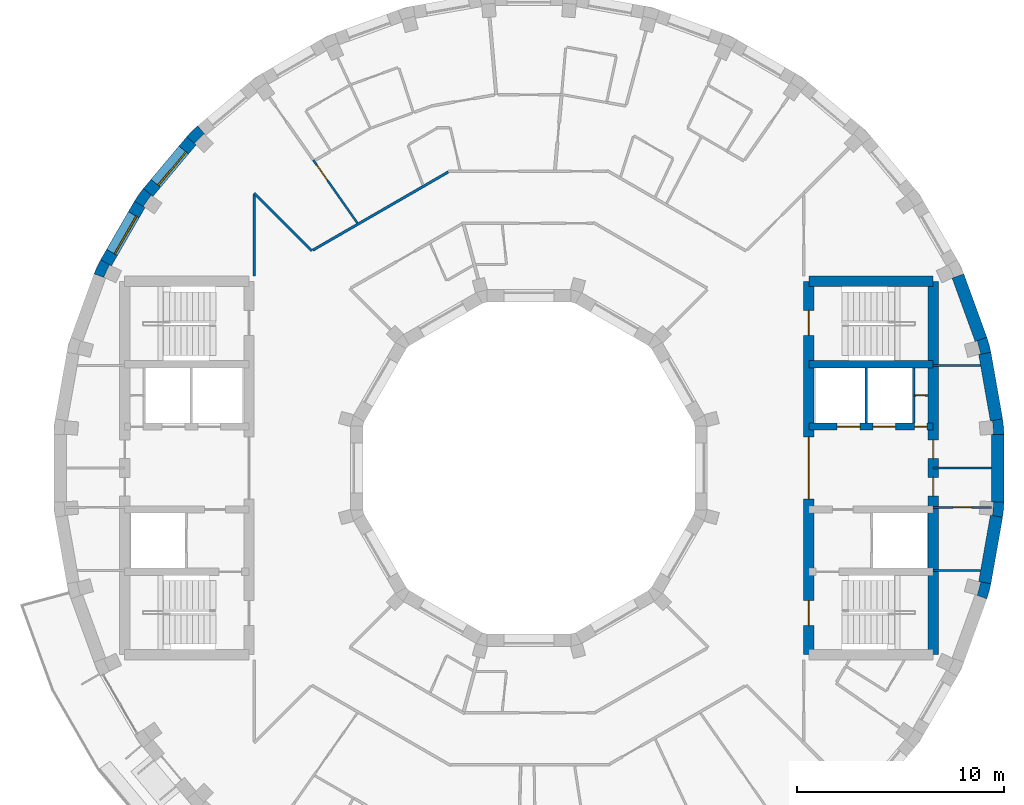
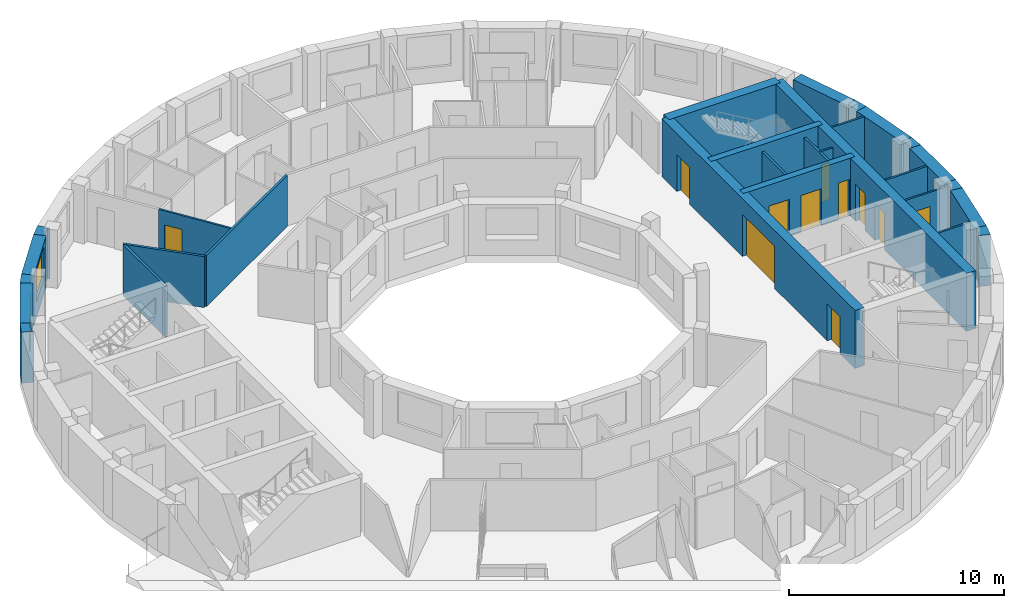
# One storey, part 8 of 12: 29 walls, 11 doors, 2 windows, 13 openings.
"""IFC4 building model written with IfcOpenShell, lengths in metres."""

from ifc_helpers import new_model, si_unit, direction, frame, frame_2d, origin, place, context, subcontext, project, spatial, polyline, rectangle, outline, extrude, material, layer, layer_set, type_object, element, fill, save


model = new_model("IFC4")

# Units and contexts
model_context = context("Model", 3, precision=1e-05, world=origin(), true_north=direction((0.0, 1.0)))
body_context = subcontext(model_context, "Body", "Model", "MODEL_VIEW")
ifc_project = project(units=[si_unit("LENGTHUNIT", "METRE"), si_unit("AREAUNIT", "SQUARE_METRE"), si_unit("VOLUMEUNIT", "CUBIC_METRE"), si_unit("PLANEANGLEUNIT", "RADIAN"), si_unit("MASSUNIT", "GRAM", prefix="KILO")], contexts=[model_context])

# Site, building, storey
site_placement = place(None, origin())
site = spatial("IfcSite", under=ifc_project, at=site_placement, CompositionType="ELEMENT")
building_placement = place(site_placement, origin())
building = spatial("IfcBuilding", under=site, at=building_placement, Name="Saqina Gate Tower", CompositionType="ELEMENT")
storey_placement = place(building_placement, frame((0.0, 0.0, 262.699951171875)))
storey = spatial("IfcBuildingStorey", under=building, at=storey_placement, Name="L75", CompositionType="ELEMENT", Elevation=262.699951171875)

# Walls
ifc_material_1 = material(Name="Brick masonry (buff)", Category="masonry")
wall_type_1 = type_object("IfcWallType", Name="BRICK PIER COPING BUFF", PredefinedType="SOLIDWALL", material=ifc_material_1)
wall_1_placement = place(storey_placement, origin())
element("IfcWall", 1, at=wall_1_placement, inside=storey, type_object=wall_type_1, Name="Pier cap L75 column 1", PredefinedType="SOLIDWALL", context=body_context, shape_type="SweptSolid", body=[
    extrude(outline(polyline([(22.91259765625, 1.625732421875), (22.8466796875, 2.377685546875), (22.255859375, 2.2734375), (22.361083984375, 2.28271484375), (22.417724609375, 1.635009765625), (22.3125, 1.625732421875), (22.91259765625, 1.625732421875)])), origin(), (0.0, 0.0, 1.0), 2.900146484375),
])
wall_2_placement = place(storey_placement, origin())
element("IfcWall", 2, at=wall_2_placement, inside=storey, type_object=wall_type_1, Name="Pier cap L75 column 2", PredefinedType="SOLIDWALL", context=body_context, shape_type="SweptSolid", body=[
    extrude(outline(polyline([(22.0869140625, 6.30859375), (21.52294921875, 6.103515625), (21.625, 6.130859375), (21.793212890625, 5.5029296875), (21.691162109375, 5.4755859375), (22.281982421875, 5.579833984375), (22.0869140625, 6.30859375)])), origin(), (0.0, 0.0, 1.0), 2.900146484375),
])
wall_3_placement = place(storey_placement, origin())
element("IfcWall", 3, at=wall_3_placement, inside=storey, type_object=wall_type_1, Name="Pier cap L75 column 14", PredefinedType="SOLIDWALL", context=body_context, shape_type="SweptSolid", body=[
    extrude(outline(polyline([(-16.5068359375, 15.973388671875), (-16.04736328125, 15.587646484375), (-16.1220703125, 15.662353515625), (-15.662353515625, 16.1220703125), (-15.587646484375, 16.04736328125), (-15.973388671875, 16.5068359375), (-16.5068359375, 15.973388671875)])), origin(), (0.0, 0.0, 1.0), 2.900146484375),
])
wall_4_placement = place(storey_placement, origin())
element("IfcWall", 4, at=wall_4_placement, inside=storey, type_object=wall_type_1, Name="Pier cap L75 column 15", PredefinedType="SOLIDWALL", context=body_context, shape_type="SweptSolid", body=[
    extrude(outline(polyline([(-19.02978515625, 12.8642578125), (-18.51025390625, 12.564208984375), (-18.596923828125, 12.625), (-18.22412109375, 13.157470703125), (-18.137451171875, 13.0966796875), (-18.59716796875, 13.482421875), (-19.02978515625, 12.8642578125)])), origin(), (0.0, 0.0, 1.0), 2.900146484375),
])
wall_5_placement = place(storey_placement, origin())
element("IfcWall", 5, at=wall_5_placement, inside=storey, type_object=wall_type_1, Name="Pier cap L75 column 16", PredefinedType="SOLIDWALL", context=body_context, shape_type="SweptSolid", body=[
    extrude(outline(polyline([(-20.65576171875, 10.048095703125), (-20.974609375, 9.3642578125), (-20.410888671875, 9.1591796875), (-20.506591796875, 9.203857421875), (-20.23193359375, 9.79296875), (-20.135986328125, 9.748291015625), (-20.65576171875, 10.048095703125)])), origin(), (0.0, 0.0, 1.0), 2.900146484375),
])
wall_6_placement = place(storey_placement, origin())
element("IfcWall", 6, at=wall_6_placement, inside=storey, type_object=wall_type_1, Name="Pier cap L75 column 35", PredefinedType="SOLIDWALL", context=body_context, shape_type="SweptSolid", body=[
    extrude(outline(polyline([(22.281982421875, -5.579833984375), (21.691162109375, -5.4755859375), (21.793212890625, -5.5029296875), (21.625, -6.130859375), (21.52294921875, -6.103515625), (22.0869140625, -6.30859375), (22.281982421875, -5.579833984375)])), origin(), (0.0, 0.0, 1.0), 2.900146484375),
])
wall_7_placement = place(storey_placement, origin())
element("IfcWall", 7, at=wall_7_placement, inside=storey, type_object=wall_type_1, Name="Pier cap L75 column 36", PredefinedType="SOLIDWALL", context=body_context, shape_type="SweptSolid", body=[
    extrude(outline(polyline([(22.8466796875, -2.377685546875), (22.91259765625, -1.625732421875), (22.3125, -1.625732421875), (22.417724609375, -1.635009765625), (22.361083984375, -2.28271484375), (22.255859375, -2.2734375), (22.8466796875, -2.377685546875)])), origin(), (0.0, 0.0, 1.0), 2.900146484375),
])

# Wall, opening, door
ifc_material_2 = material(Name="Gypsum board on steel studs", Category="steel")
ifc_layer_1 = layer(ifc_material_2, 0.10009765625)
ifc_layer_set_1 = layer_set([ifc_layer_1], Name="CORE PARTITION")
wall_type_2 = type_object("IfcWallType", Name="CORE PARTITION", PredefinedType="PARTITIONING", material=ifc_layer_set_1)
wall_8_placement = place(storey_placement, frame((18.56005859375, 3.5, 0.0), z_axis=(0.0, 0.0, 1.0), x_axis=(1.0, 0.0, 0.0)))
wall_8 = element("IfcWall", 8, at=wall_8_placement, inside=storey, type_object=wall_type_2, Name="L75-CP-E01", PredefinedType="PARTITIONING", context=body_context, shape_type="SweptSolid", body=[
    extrude(rectangle(XDim=0.68994140625, YDim=0.10009765625, at=frame_2d((0.344970703125, 0.0))), origin(), (0.0, 0.0, 1.0), 2.900146484375),
])
opening_1_placement = place(wall_8_placement, frame((0.10009765625, 0.0, 0.0)))
opening_1 = element("IfcOpeningElement", 9, at=opening_1_placement, cuts=wall_8, Name="Opening G22-D95", PredefinedType="OPENING", context=body_context, shape_type="SweptSolid", body=[
    extrude(rectangle(XDim=0.449951171875, YDim=2.10009765625, at=frame_2d((0.22509765625, 1.050048828125))), frame((0.0, 0.06201171875, 0.0), z_axis=(0.0, -1.0, 0.0), x_axis=(1.0, 0.0, 0.0)), (0.0, 0.0, 1.0), 0.1240234375),
])
ifc_material_3 = material(Name="Steel-framed fire door leaf, EI 60", Category="steel")
door_type_1 = type_object("IfcDoorType", Name="SERVICE ROOM DOOR 450", OperationType="SINGLE_SWING_LEFT", PredefinedType="DOOR", material=ifc_material_3)
door_1_placement = place(opening_1_placement, origin())
door_1 = element("IfcDoor", 10, at=door_1_placement, inside=storey, type_object=door_type_1, Name="L75-CD-E06", OperationType="SINGLE_SWING_RIGHT", OverallHeight=2.10009765625, OverallWidth=0.449951171875, PredefinedType="DOOR", context=body_context, shape_type="SweptSolid", body=[
    extrude(rectangle(XDim=0.449951171875, YDim=2.10009765625, at=frame_2d((0.22509765625, 1.050048828125))), frame((0.0, 0.02490234375, 0.0), z_axis=(0.0, -1.0, 0.0), x_axis=(1.0, 0.0, 0.0)), (0.0, 0.0, 1.0), 0.050048828125),
])
fill(opening_1, door_1)

# Walls
for number, where, z_axis, x_axis, name in (
    (11, (19.5, 4.949951171875, 0.0), (0.0, 0.0, 1.0), (1.0, 0.0, 0.0), "L75-CP-E02"),
    (12, (19.5, -4.949951171875, 0.0), (0.0, 0.0, 1.0), (1.0, 0.0, 0.0), "L75-CP-E03"),
):
    element("IfcWall", number, at=place(storey_placement, frame(where, z_axis=z_axis, x_axis=x_axis)), inside=storey, type_object=wall_type_2, Name=name, PredefinedType="PARTITIONING", context=body_context, shape_type="SweptSolid", body=[
        extrude(rectangle(XDim=2.283935546875, YDim=0.10009765625, at=frame_2d((1.14208984375, 0.0))), origin(), (0.0, 0.0, 1.0), 2.900146484375),
    ])

# Wall, opening, door
wall_9_placement = place(storey_placement, frame((19.5, -1.89990234375, 0.0), z_axis=(0.0, 0.0, 1.0), x_axis=(1.0, 0.0, 0.0)))
wall_9 = element("IfcWall", 13, at=wall_9_placement, inside=storey, type_object=wall_type_2, Name="L75-CP-E04", PredefinedType="PARTITIONING", context=body_context, shape_type="SweptSolid", body=[
    extrude(rectangle(XDim=2.8125, YDim=0.10009765625, at=frame_2d((1.40625, 0.0))), origin(), (0.0, 0.0, 1.0), 2.900146484375),
])
opening_2_placement = place(wall_9_placement, frame((0.956298828125, 0.0, 0.0)))
opening_2 = element("IfcOpeningElement", 14, at=opening_2_placement, cuts=wall_9, Name="Opening G22-D93", PredefinedType="OPENING", context=body_context, shape_type="SweptSolid", body=[
    extrude(rectangle(XDim=0.89990234375, YDim=2.10009765625, at=frame_2d((0.449951171875, 1.050048828125))), frame((0.0, 0.06201171875, 0.0), z_axis=(0.0, -1.0, 0.0), x_axis=(1.0, 0.0, 0.0)), (0.0, 0.0, 1.0), 0.1240234375),
])
ifc_material_4 = material(Name="Steel-framed fire door leaf, EI 60", Category="steel")
door_type_2 = type_object("IfcDoorType", Name="SERVICE ROOM DOOR 900", OperationType="SINGLE_SWING_LEFT", PredefinedType="DOOR", material=ifc_material_4)
door_2_placement = place(opening_2_placement, frame((0.89990234375, 0.0, 0.0), z_axis=(0.0, 0.0, 1.0), x_axis=(-1.0, 0.0, 0.0)))
door_2 = element("IfcDoor", 15, at=door_2_placement, inside=storey, type_object=door_type_2, Name="L75-CD-E04", OperationType="SINGLE_SWING_LEFT", OverallHeight=2.10009765625, OverallWidth=0.89990234375, PredefinedType="DOOR", context=body_context, shape_type="SweptSolid", body=[
    extrude(rectangle(XDim=0.89990234375, YDim=2.10009765625, at=frame_2d((0.449951171875, 1.050048828125))), frame((0.0, 0.02490234375, 0.0), z_axis=(0.0, -1.0, 0.0), x_axis=(1.0, 0.0, 0.0)), (0.0, 0.0, 1.0), 0.050048828125),
])
fill(opening_2, door_2)

# Wall
wall_10_placement = place(storey_placement, frame((19.5, 0.0, 0.0), z_axis=(0.0, 0.0, 1.0), x_axis=(1.0, 0.0, 0.0)))
element("IfcWall", 16, at=wall_10_placement, inside=storey, type_object=wall_type_2, Name="L75-CP-E05", PredefinedType="PARTITIONING", context=body_context, shape_type="SweptSolid", body=[
    extrude(rectangle(XDim=2.8125, YDim=0.10009765625, at=frame_2d((1.40625, 0.0))), origin(), (0.0, 0.0, 1.0), 2.900146484375),
])

# Wall, opening, window
ifc_material_5 = material(Name="Brick masonry (buff)", Category="masonry")
ifc_layer_2 = layer(ifc_material_5, 0.60009765625)
ifc_layer_set_2 = layer_set([ifc_layer_2], Name="FW-BRICK-BUFF")
wall_type_3 = type_object("IfcWallType", Name="FW-BRICK-BUFF", PredefinedType="SOLIDWALL", material=ifc_layer_set_2)
wall_11_placement = place(storey_placement, frame((-16.277099609375, 15.780517578125, 0.0), z_axis=(0.0, 0.0, 1.0), x_axis=(-0.64277291405, -0.766056773982, 0.0)))
wall_11 = element("IfcWall", 17, at=wall_11_placement, inside=storey, type_object=wall_type_3, Name="Facade wall L75 facet 14", PredefinedType="SOLIDWALL", context=body_context, shape_type="SweptSolid", body=[
    extrude(rectangle(XDim=3.251708984375, YDim=0.60009765625, at=frame_2d((1.6259765625, 0.0))), origin(), (0.0, 0.0, 1.0), 2.900146484375),
])
opening_3_placement = place(wall_11_placement, frame((0.57568359375, 0.0, 0.89990234375)))
opening_3 = element("IfcOpeningElement", 18, at=opening_3_placement, cuts=wall_11, Name="Opening G22-W12", PredefinedType="OPENING", context=body_context, shape_type="SweptSolid", body=[
    extrude(rectangle(XDim=2.10009765625, YDim=1.800048828125, at=frame_2d((1.050048828125, 0.89990234375))), frame((0.0, 0.31201171875, 0.0), z_axis=(0.0, -1.0, 0.0), x_axis=(1.0, 0.0, 0.0)), (0.0, 0.0, 1.0), 0.6240234375),
])
ifc_material_6 = material(Name="Aluminium glazing", Category="aluminium")
window_type = type_object("IfcWindowType", Name="WN-D", PartitioningType="SINGLE_PANEL", PredefinedType="WINDOW", material=ifc_material_6)
window_1_placement = place(opening_3_placement, origin())
window_1 = element("IfcWindow", 19, at=window_1_placement, inside=storey, type_object=window_type, Name="Window L75 facet 14", OverallHeight=1.800048828125, OverallWidth=2.10009765625, PartitioningType="SINGLE_PANEL", PredefinedType="WINDOW", context=body_context, shape_type="SweptSolid", body=[
    extrude(rectangle(XDim=2.10009765625, YDim=1.800048828125, at=frame_2d((1.050048828125, 0.89990234375))), frame((0.0, 0.179931640625, 0.0), z_axis=(0.0, -1.0, 0.0), x_axis=(1.0, 0.0, 0.0)), (0.0, 0.0, 1.0), 0.06005859375),
])
fill(opening_3, window_1)

wall_12_placement = place(storey_placement, frame((-18.77001953125, 12.71435546875, 0.0), z_axis=(0.0, 0.0, 1.0), x_axis=(-0.500014901547, -0.866016800201, 0.0)))
wall_12 = element("IfcWall", 20, at=wall_12_placement, inside=storey, type_object=wall_type_3, Name="Facade wall L75 facet 15", PredefinedType="SOLIDWALL", context=body_context, shape_type="SweptSolid", body=[
    extrude(rectangle(XDim=3.251953125, YDim=0.60009765625, at=frame_2d((1.6259765625, 0.0))), origin(), (0.0, 0.0, 1.0), 2.900146484375),
])
opening_4_placement = place(wall_12_placement, frame((0.57568359375, 0.0, 0.89990234375)))
opening_4 = element("IfcOpeningElement", 21, at=opening_4_placement, cuts=wall_12, Name="Opening G22-W13", PredefinedType="OPENING", context=body_context, shape_type="SweptSolid", body=[
    extrude(rectangle(XDim=2.10009765625, YDim=1.800048828125, at=frame_2d((1.050048828125, 0.89990234375))), frame((0.0, 0.31201171875, 0.0), z_axis=(0.0, -1.0, 0.0), x_axis=(1.0, 0.0, 0.0)), (0.0, 0.0, 1.0), 0.6240234375),
])
window_2_placement = place(opening_4_placement, origin())
window_2 = element("IfcWindow", 22, at=window_2_placement, inside=storey, type_object=window_type, Name="Window L75 facet 15", OverallHeight=1.800048828125, OverallWidth=2.10009765625, PartitioningType="SINGLE_PANEL", PredefinedType="WINDOW", context=body_context, shape_type="SweptSolid", body=[
    extrude(rectangle(XDim=2.10009765625, YDim=1.800048828125, at=frame_2d((1.050048828125, 0.89990234375))), frame((0.0, 0.179931640625, 0.0), z_axis=(0.0, -1.0, 0.0), x_axis=(1.0, 0.0, 0.0)), (0.0, 0.0, 1.0), 0.06005859375),
])
fill(opening_4, window_2)

# Walls
ifc_material_7 = material(Name="Glazed ceramic tile", Category="ceramic")
ifc_layer_3 = layer(ifc_material_7, 0.60009765625)
ifc_layer_set_3 = layer_set([ifc_layer_3], Name="FW-TILE")
wall_type_4 = type_object("IfcWallType", Name="FW-TILE", PredefinedType="SOLIDWALL", material=ifc_layer_set_3)
wall_13_placement = place(storey_placement, frame((21.804931640625, 6.2060546875, 0.0), z_axis=(0.0, 0.0, 1.0), x_axis=(-0.342056509473, 0.939679383794, 0.0)))
element("IfcWall", 23, at=wall_13_placement, inside=storey, type_object=wall_type_4, Name="Facade wall L75 facet 2", PredefinedType="SOLIDWALL", context=body_context, shape_type="SweptSolid", body=[
    extrude(rectangle(XDim=3.251708984375, YDim=0.60009765625, at=frame_2d((1.6259765625, 0.0))), origin(), (0.0, 0.0, 1.0), 2.900146484375),
])
wall_14_placement = place(storey_placement, frame((22.612548828125, -1.625732421875, 0.0), z_axis=(0.0, 0.0, 1.0), x_axis=(0.0, 1.0, 0.0)))
element("IfcWall", 24, at=wall_14_placement, inside=storey, type_object=wall_type_4, Name="Facade wall L75 facet 36", PredefinedType="SOLIDWALL", context=body_context, shape_type="SweptSolid", body=[
    extrude(rectangle(XDim=3.25146484375, YDim=0.60009765625, at=frame_2d((1.625732421875, 0.0))), origin(), (0.0, 0.0, 1.0), 2.900146484375),
])
ifc_material_8 = material(Name="Glazed ceramic tile (dark blue)", Category="ceramic")
ifc_layer_4 = layer(ifc_material_8, 0.60009765625)
ifc_layer_set_4 = layer_set([ifc_layer_4], Name="FW-TILE-CB")
wall_type_5 = type_object("IfcWallType", Name="FW-TILE-CB", PredefinedType="SOLIDWALL", material=ifc_layer_set_4)
wall_15_placement = place(storey_placement, frame((21.986572265625, -5.52783203125, 0.0), z_axis=(0.0, 0.0, 1.0), x_axis=(0.173656842178, 0.984806225186, 0.0)))
element("IfcWall", 25, at=wall_15_placement, inside=storey, type_object=wall_type_5, Name="Facade wall L75 facet 35", PredefinedType="SOLIDWALL", context=body_context, shape_type="SweptSolid", body=[
    extrude(rectangle(XDim=3.251708984375, YDim=0.60009765625, at=frame_2d((1.6259765625, 0.0))), origin(), (0.0, 0.0, 1.0), 2.900146484375),
])
ifc_material_9 = material(Name="Glazed ceramic tile (white)", Category="ceramic")
ifc_layer_5 = layer(ifc_material_9, 0.60009765625)
ifc_layer_set_5 = layer_set([ifc_layer_5], Name="FW-TILE-WH")
wall_type_6 = type_object("IfcWallType", Name="FW-TILE-WH", PredefinedType="SOLIDWALL", material=ifc_layer_set_5)
wall_16_placement = place(storey_placement, frame((22.55126953125, 2.325439453125, 0.0), z_axis=(0.0, 0.0, 1.0), x_axis=(-0.173656842178, 0.984806225186, 0.0)))
element("IfcWall", 26, at=wall_16_placement, inside=storey, type_object=wall_type_6, Name="Facade wall L75 facet 1", PredefinedType="SOLIDWALL", context=body_context, shape_type="SweptSolid", body=[
    extrude(rectangle(XDim=3.251708984375, YDim=0.60009765625, at=frame_2d((1.6259765625, 0.0))), origin(), (0.0, 0.0, 1.0), 2.900146484375),
])

# Wall, opening, door
ifc_material_10 = material(Name="Gypsum board on steel studs, 100 mm", Category="steel")
ifc_layer_6 = layer(ifc_material_10, 0.10009765625)
ifc_layer_set_6 = layer_set([ifc_layer_6], Name="PARTITION 100")
wall_type_7 = type_object("IfcWallType", Name="PARTITION 100", PredefinedType="PARTITIONING", material=ifc_layer_set_6)
wall_17_placement = place(storey_placement, frame((-10.399169921875, 14.85205078125, 0.0), z_axis=(0.0, 0.0, 1.0), x_axis=(0.573661423556, -0.819092529037, 0.0)))
wall_17 = element("IfcWall", 27, at=wall_17_placement, inside=storey, type_object=wall_type_7, Name="PARTITION PW3-13", PredefinedType="PARTITIONING", context=body_context, shape_type="SweptSolid", body=[
    extrude(rectangle(XDim=3.703369140625, YDim=0.10009765625, at=frame_2d((1.8515625, 0.0))), origin(), (0.0, 0.0, 1.0), 2.900146484375),
])
opening_5_placement = place(wall_17_placement, frame((0.29931640625, 0.0, 0.0)))
opening_5 = element("IfcOpeningElement", 28, at=opening_5_placement, cuts=wall_17, Name="Opening G22-D22", PredefinedType="OPENING", context=body_context, shape_type="SweptSolid", body=[
    extrude(rectangle(XDim=0.89990234375, YDim=2.10009765625, at=frame_2d((0.449951171875, 1.050048828125))), frame((0.0, 0.06201171875, 0.0), z_axis=(0.0, -1.0, 0.0), x_axis=(1.0, 0.0, 0.0)), (0.0, 0.0, 1.0), 0.1240234375),
])
ifc_material_11 = material(Name="Timber door leaf, 900 mm", Category="wood")
door_type_3 = type_object("IfcDoorType", Name="DOOR 900 TIMBER", OperationType="SINGLE_SWING_LEFT", PredefinedType="DOOR", material=ifc_material_11)
door_3_placement = place(opening_5_placement, frame((0.89990234375, 0.0, 0.0), z_axis=(0.0, 0.0, 1.0), x_axis=(-1.0, 0.0, 0.0)))
door_3 = element("IfcDoor", 29, at=door_3_placement, inside=storey, type_object=door_type_3, Name="DOOR G22-D22", OperationType="SINGLE_SWING_RIGHT", OverallHeight=2.10009765625, OverallWidth=0.89990234375, PredefinedType="DOOR", context=body_context, shape_type="SweptSolid", body=[
    extrude(rectangle(XDim=0.89990234375, YDim=2.10009765625, at=frame_2d((0.449951171875, 1.050048828125))), frame((0.0, 0.02490234375, 0.0), z_axis=(0.0, -1.0, 0.0), x_axis=(1.0, 0.0, 0.0)), (0.0, 0.0, 1.0), 0.050048828125),
])
fill(opening_5, door_3)

# Walls
ifc_material_12 = material(Name="Gypsum board on steel studs, 125 mm, fire rated", Category="steel")
ifc_layer_7 = layer(ifc_material_12, 0.125)
ifc_layer_set_7 = layer_set([ifc_layer_7], Name="PARTITION EI 30 125")
wall_type_8 = type_object("IfcWallType", Name="PARTITION EI 30 125", PredefinedType="PARTITIONING", material=ifc_layer_set_7)
wall_18_placement = place(storey_placement, frame((-13.25, 13.25, 0.0), z_axis=(0.0, 0.0, 1.0), x_axis=(0.707106781187, -0.707106781187, 0.0)))
element("IfcWall", 30, at=wall_18_placement, inside=storey, type_object=wall_type_8, Name="PARTITION PW1-04", PredefinedType="PARTITIONING", context=body_context, shape_type="SweptSolid", body=[
    extrude(rectangle(XDim=3.9228515625, YDim=0.125, at=frame_2d((1.96142578125, 0.0))), origin(), (0.0, 0.0, 1.0), 2.900146484375),
])
wall_19_placement = place(storey_placement, frame((-10.421875, 10.50732421875, 0.0), z_axis=(0.0, 0.0, 1.0), x_axis=(0.866068111199, 0.499926021291, 0.0)))
element("IfcWall", 31, at=wall_19_placement, inside=storey, type_object=wall_type_8, Name="PARTITION PW1-28", PredefinedType="PARTITIONING", context=body_context, shape_type="SweptSolid", body=[
    extrude(rectangle(XDim=7.544189453125, YDim=0.125, at=frame_2d((3.77197265625, 0.0))), origin(), (0.0, 0.0, 1.0), 2.900146484375),
])
wall_20_placement = place(storey_placement, frame((-13.25, 9.25, 0.0), z_axis=(0.0, 0.0, 1.0), x_axis=(0.0, 1.0, 0.0)))
element("IfcWall", 32, at=wall_20_placement, inside=storey, type_object=wall_type_8, Name="PARTITION PW1-45", PredefinedType="PARTITIONING", context=body_context, shape_type="SweptSolid", body=[
    extrude(rectangle(XDim=3.9375, YDim=0.125, at=frame_2d((1.96875, 0.0))), origin(), (0.0, 0.0, 1.0), 2.900146484375),
])
ifc_material_13 = material(Name="Autoclaved aerated concrete block", Category="concrete")
ifc_layer_8 = layer(ifc_material_13, 0.1201171875)
ifc_layer_set_8 = layer_set([ifc_layer_8], Name="SHAFT PARTITION")
wall_type_9 = type_object("IfcWallType", Name="SHAFT PARTITION", PredefinedType="PARTITIONING", material=ifc_layer_set_8)
for number, where, z_axis, x_axis, name in (
    (33, (16.280029296875, 2.175048828125, 0.0), (0.0, 0.0, 1.0), (0.0, 1.0, 0.0), "L75-CP-E06"),
    (34, (18.56005859375, 2.175048828125, 0.0), (0.0, 0.0, 1.0), (0.0, 1.0, 0.0), "L75-CP-E07"),
):
    element("IfcWall", number, at=place(storey_placement, frame(where, z_axis=z_axis, x_axis=x_axis)), inside=storey, type_object=wall_type_9, Name=name, PredefinedType="PARTITIONING", context=body_context, shape_type="SweptSolid", body=[
        extrude(rectangle(XDim=2.64990234375, YDim=0.1201171875, at=frame_2d((1.324951171875, 0.0))), origin(), (0.0, 0.0, 1.0), 2.900146484375),
    ])
ifc_material_14 = material(Name="Concrete C60/75", Category="concrete")
ifc_layer_9 = layer(ifc_material_14, 0.35009765625)
ifc_layer_set_9 = layer_set([ifc_layer_9], Name="Concrete C60/75")
wall_type_10 = type_object("IfcWallType", Name="STR-CORE WALL-D-I", PredefinedType="SHEAR", material=ifc_layer_set_9)
wall_21_placement = place(storey_placement, frame((13.5, 5.0, 0.0), z_axis=(0.0, 0.0, 1.0), x_axis=(1.0, 0.0, 0.0)))
element("IfcWall", 35, at=wall_21_placement, inside=storey, type_object=wall_type_10, Name="CORE WALL L75 E-X1", PredefinedType="SHEAR", context=body_context, shape_type="SweptSolid", body=[
    extrude(rectangle(XDim=6.0, YDim=0.35009765625, at=frame_2d((3.0, 0.0))), origin(), (0.0, 0.0, 1.0), 3.300048828125),
])

# Wall, openings, doors
wall_22_placement = place(storey_placement, frame((13.5, 2.0, 0.0), z_axis=(0.0, 0.0, 1.0), x_axis=(1.0, 0.0, 0.0)))
wall_22 = element("IfcWall", 36, at=wall_22_placement, inside=storey, type_object=wall_type_10, Name="CORE WALL L75 E-L1", PredefinedType="SHEAR", context=body_context, shape_type="SweptSolid", body=[
    extrude(rectangle(XDim=6.0, YDim=0.35009765625, at=frame_2d((3.0, 0.0))), origin(), (0.0, 0.0, 1.0), 3.300048828125),
])
opening_6_placement = place(wall_22_placement, frame((1.3701171875, 0.0, 0.0)))
opening_6 = element("IfcOpeningElement", 37, at=opening_6_placement, cuts=wall_22, Name="Opening G22-LD1", PredefinedType="OPENING", context=body_context, shape_type="SweptSolid", body=[
    extrude(rectangle(XDim=1.10009765625, YDim=2.10009765625, at=frame_2d((0.550048828125, 1.050048828125))), frame((0.0, 0.18701171875, 0.0), z_axis=(0.0, -1.0, 0.0), x_axis=(1.0, 0.0, 0.0)), (0.0, 0.0, 1.0), 0.3740234375),
])
opening_7_placement = place(wall_22_placement, frame((3.090087890625, 0.0, 0.0)))
opening_7 = element("IfcOpeningElement", 38, at=opening_7_placement, cuts=wall_22, Name="Opening G22-LD2", PredefinedType="OPENING", context=body_context, shape_type="SweptSolid", body=[
    extrude(rectangle(XDim=1.10009765625, YDim=2.10009765625, at=frame_2d((0.550048828125, 1.050048828125))), frame((0.0, 0.18701171875, 0.0), z_axis=(0.0, -1.0, 0.0), x_axis=(1.0, 0.0, 0.0)), (0.0, 0.0, 1.0), 0.3740234375),
])
opening_8_placement = place(wall_22_placement, frame((5.10498046875, 0.0, 0.0)))
opening_8 = element("IfcOpeningElement", 39, at=opening_8_placement, cuts=wall_22, Name="Opening G22-D90", PredefinedType="OPENING", context=body_context, shape_type="SweptSolid", body=[
    extrude(rectangle(XDim=0.60009765625, YDim=2.10009765625, at=frame_2d((0.300048828125, 1.050048828125))), frame((0.0, 0.18701171875, 0.0), z_axis=(0.0, -1.0, 0.0), x_axis=(1.0, 0.0, 0.0)), (0.0, 0.0, 1.0), 0.3740234375),
])
ifc_material_15 = material(Name="Stainless steel", Category="steel")
door_type_4 = type_object("IfcDoorType", Name="LANDING DOOR", OperationType="DOUBLE_DOOR_SLIDING", PredefinedType="DOOR", material=ifc_material_15)
door_4_placement = place(opening_6_placement, origin())
door_4 = element("IfcDoor", 40, at=door_4_placement, inside=storey, type_object=door_type_4, Name="LANDING DOOR HR1", OperationType="DOUBLE_DOOR_SLIDING", OverallHeight=2.10009765625, OverallWidth=1.10009765625, PredefinedType="DOOR", context=body_context, shape_type="SweptSolid", body=[
    extrude(rectangle(XDim=1.10009765625, YDim=2.10009765625, at=frame_2d((0.550048828125, 1.050048828125))), frame((0.0, 0.02490234375, 0.0), z_axis=(0.0, -1.0, 0.0), x_axis=(1.0, 0.0, 0.0)), (0.0, 0.0, 1.0), 0.050048828125),
])
fill(opening_6, door_4)
door_5_placement = place(opening_7_placement, origin())
door_5 = element("IfcDoor", 41, at=door_5_placement, inside=storey, type_object=door_type_4, Name="LANDING DOOR HR2", OperationType="DOUBLE_DOOR_SLIDING", OverallHeight=2.10009765625, OverallWidth=1.10009765625, PredefinedType="DOOR", context=body_context, shape_type="SweptSolid", body=[
    extrude(rectangle(XDim=1.10009765625, YDim=2.10009765625, at=frame_2d((0.550048828125, 1.050048828125))), frame((0.0, 0.02490234375, 0.0), z_axis=(0.0, -1.0, 0.0), x_axis=(1.0, 0.0, 0.0)), (0.0, 0.0, 1.0), 0.050048828125),
])
fill(opening_7, door_5)
ifc_material_16 = material(Name="Steel-framed fire door leaf, EI 60", Category="steel")
door_type_5 = type_object("IfcDoorType", Name="SERVICE ROOM DOOR 600", OperationType="SINGLE_SWING_LEFT", PredefinedType="DOOR", material=ifc_material_16)
door_6_placement = place(opening_8_placement, origin())
door_6 = element("IfcDoor", 42, at=door_6_placement, inside=storey, type_object=door_type_5, Name="L75-CD-E01", OperationType="SINGLE_SWING_RIGHT", OverallHeight=2.10009765625, OverallWidth=0.60009765625, PredefinedType="DOOR", context=body_context, shape_type="SweptSolid", body=[
    extrude(rectangle(XDim=0.60009765625, YDim=2.10009765625, at=frame_2d((0.300048828125, 1.050048828125))), frame((0.0, 0.02490234375, 0.0), z_axis=(0.0, -1.0, 0.0), x_axis=(1.0, 0.0, 0.0)), (0.0, 0.0, 1.0), 0.050048828125),
])
fill(opening_8, door_6)

ifc_material_17 = material(Name="Concrete C60/75", Category="concrete")
ifc_layer_10 = layer(ifc_material_17, 0.5)
ifc_layer_set_10 = layer_set([ifc_layer_10], Name="Concrete C60/75")
wall_type_11 = type_object("IfcWallType", Name="STR-CORE WALL-D-O", PredefinedType="SHEAR", material=ifc_layer_set_10)
wall_23_placement = place(storey_placement, frame((13.5, -9.0, 0.0), z_axis=(0.0, 0.0, 1.0), x_axis=(0.0, 1.0, 0.0)))
wall_23 = element("IfcWall", 43, at=wall_23_placement, inside=storey, type_object=wall_type_11, Name="CORE WALL L75 E-W1", PredefinedType="SHEAR", context=body_context, shape_type="SweptSolid", body=[
    extrude(rectangle(XDim=18.0, YDim=0.5, at=frame_2d((9.0, 0.0))), origin(), (0.0, 0.0, 1.0), 3.300048828125),
])
opening_9_placement = place(wall_23_placement, frame((15.39990234375, 0.0, 0.0)))
opening_9 = element("IfcOpeningElement", 44, at=opening_9_placement, cuts=wall_23, Name="Opening G22-D97", PredefinedType="OPENING", context=body_context, shape_type="SweptSolid", body=[
    extrude(rectangle(XDim=1.199951171875, YDim=2.10009765625, at=frame_2d((0.60009765625, 1.050048828125))), frame((0.0, 0.261962890625, 0.0), z_axis=(0.0, -1.0, 0.0), x_axis=(1.0, 0.0, 0.0)), (0.0, 0.0, 1.0), 0.52392578125),
])
opening_10_placement = place(wall_23_placement, frame((1.39990234375, 0.0, 0.0)))
opening_10 = element("IfcOpeningElement", 45, at=opening_10_placement, cuts=wall_23, Name="Opening G22-D98", PredefinedType="OPENING", context=body_context, shape_type="SweptSolid", body=[
    extrude(rectangle(XDim=1.199951171875, YDim=2.10009765625, at=frame_2d((0.60009765625, 1.050048828125))), frame((0.0, 0.261962890625, 0.0), z_axis=(0.0, -1.0, 0.0), x_axis=(1.0, 0.0, 0.0)), (0.0, 0.0, 1.0), 0.52392578125),
])
opening_11_placement = place(wall_23_placement, frame((7.5, 0.0, 0.0)))
opening_11 = element("IfcOpeningElement", 46, at=opening_11_placement, cuts=wall_23, Name="Opening G22-D99", PredefinedType="OPENING", context=body_context, shape_type="SweptSolid", body=[
    extrude(rectangle(XDim=3.0, YDim=2.39990234375, at=frame_2d((1.5, 1.199951171875))), frame((0.0, 0.261962890625, 0.0), z_axis=(0.0, -1.0, 0.0), x_axis=(1.0, 0.0, 0.0)), (0.0, 0.0, 1.0), 0.52392578125),
])
ifc_material_18 = material(Name="Steel", Category="steel")
door_type_6 = type_object("IfcDoorType", Name="FIRE DOOR EI 60", OperationType="SINGLE_SWING_LEFT", PredefinedType="DOOR", material=ifc_material_18)
door_7_placement = place(opening_9_placement, frame((1.199951171875, 0.0, 0.0), z_axis=(0.0, 0.0, 1.0), x_axis=(-1.0, 0.0, 0.0)))
door_7 = element("IfcDoor", 47, at=door_7_placement, inside=storey, type_object=door_type_6, Name="L75-CD-E08", OperationType="SINGLE_SWING_LEFT", OverallHeight=2.10009765625, OverallWidth=1.199951171875, PredefinedType="DOOR", context=body_context, shape_type="SweptSolid", body=[
    extrude(rectangle(XDim=1.199951171875, YDim=2.10009765625, at=frame_2d((0.60009765625, 1.050048828125))), frame((0.0, 0.02490234375, 0.0), z_axis=(0.0, -1.0, 0.0), x_axis=(1.0, 0.0, 0.0)), (0.0, 0.0, 1.0), 0.050048828125),
])
fill(opening_9, door_7)
door_8_placement = place(opening_10_placement, frame((1.199951171875, 0.0, 0.0), z_axis=(0.0, 0.0, 1.0), x_axis=(-1.0, 0.0, 0.0)))
door_8 = element("IfcDoor", 48, at=door_8_placement, inside=storey, type_object=door_type_6, Name="L75-CD-E09", OperationType="SINGLE_SWING_RIGHT", OverallHeight=2.10009765625, OverallWidth=1.199951171875, PredefinedType="DOOR", context=body_context, shape_type="SweptSolid", body=[
    extrude(rectangle(XDim=1.199951171875, YDim=2.10009765625, at=frame_2d((0.60009765625, 1.050048828125))), frame((0.0, 0.02490234375, 0.0), z_axis=(0.0, -1.0, 0.0), x_axis=(1.0, 0.0, 0.0)), (0.0, 0.0, 1.0), 0.050048828125),
])
fill(opening_10, door_8)
ifc_material_19 = material(Name="Steel and fire-resisting glass", Category="steel")
door_type_7 = type_object("IfcDoorType", Name="LOBBY SCREEN DOOR", OperationType="DOUBLE_DOOR_SLIDING", PredefinedType="DOOR", material=ifc_material_19)
door_9_placement = place(opening_11_placement, origin())
door_9 = element("IfcDoor", 49, at=door_9_placement, inside=storey, type_object=door_type_7, Name="L75-CD-E10", OperationType="DOUBLE_DOOR_SLIDING", OverallHeight=2.39990234375, OverallWidth=3.0, PredefinedType="DOOR", context=body_context, shape_type="SweptSolid", body=[
    extrude(rectangle(XDim=3.0, YDim=2.39990234375, at=frame_2d((1.5, 1.199951171875))), frame((0.0, 0.02490234375, 0.0), z_axis=(0.0, -1.0, 0.0), x_axis=(1.0, 0.0, 0.0)), (0.0, 0.0, 1.0), 0.050048828125),
])
fill(opening_11, door_9)

wall_24_placement = place(storey_placement, frame((19.5, -9.0, 0.0), z_axis=(0.0, 0.0, 1.0), x_axis=(0.0, 1.0, 0.0)))
wall_24 = element("IfcWall", 50, at=wall_24_placement, inside=storey, type_object=wall_type_11, Name="CORE WALL L75 E-W2", PredefinedType="SHEAR", context=body_context, shape_type="SweptSolid", body=[
    extrude(rectangle(XDim=18.0, YDim=0.5, at=frame_2d((9.0, 0.0))), origin(), (0.0, 0.0, 1.0), 3.300048828125),
])
opening_12_placement = place(wall_24_placement, frame((9.449951171875, 0.0, 0.0)))
opening_12 = element("IfcOpeningElement", 51, at=opening_12_placement, cuts=wall_24, Name="Opening G22-D92", PredefinedType="OPENING", context=body_context, shape_type="SweptSolid", body=[
    extrude(rectangle(XDim=0.89990234375, YDim=2.10009765625, at=frame_2d((0.449951171875, 1.050048828125))), frame((0.0, 0.261962890625, 0.0), z_axis=(0.0, -1.0, 0.0), x_axis=(1.0, 0.0, 0.0)), (0.0, 0.0, 1.0), 0.52392578125),
])
opening_13_placement = place(wall_24_placement, frame((7.64990234375, 0.0, 0.0)))
opening_13 = element("IfcOpeningElement", 52, at=opening_13_placement, cuts=wall_24, Name="Opening G22-D94", PredefinedType="OPENING", context=body_context, shape_type="SweptSolid", body=[
    extrude(rectangle(XDim=0.89990234375, YDim=2.10009765625, at=frame_2d((0.449951171875, 1.050048828125))), frame((0.0, 0.261962890625, 0.0), z_axis=(0.0, -1.0, 0.0), x_axis=(1.0, 0.0, 0.0)), (0.0, 0.0, 1.0), 0.52392578125),
])
door_10_placement = place(opening_12_placement, frame((0.89990234375, 0.0, 0.0), z_axis=(0.0, 0.0, 1.0), x_axis=(-1.0, 0.0, 0.0)))
door_10 = element("IfcDoor", 53, at=door_10_placement, inside=storey, type_object=door_type_2, Name="L75-CD-E03", OperationType="SINGLE_SWING_RIGHT", OverallHeight=2.10009765625, OverallWidth=0.89990234375, PredefinedType="DOOR", context=body_context, shape_type="SweptSolid", body=[
    extrude(rectangle(XDim=0.89990234375, YDim=2.10009765625, at=frame_2d((0.449951171875, 1.050048828125))), frame((0.0, 0.02490234375, 0.0), z_axis=(0.0, -1.0, 0.0), x_axis=(1.0, 0.0, 0.0)), (0.0, 0.0, 1.0), 0.050048828125),
])
fill(opening_12, door_10)
door_11_placement = place(opening_13_placement, frame((0.89990234375, 0.0, 0.0), z_axis=(0.0, 0.0, 1.0), x_axis=(-1.0, 0.0, 0.0)))
door_11 = element("IfcDoor", 54, at=door_11_placement, inside=storey, type_object=door_type_2, Name="L75-CD-E05", OperationType="SINGLE_SWING_RIGHT", OverallHeight=2.10009765625, OverallWidth=0.89990234375, PredefinedType="DOOR", context=body_context, shape_type="SweptSolid", body=[
    extrude(rectangle(XDim=0.89990234375, YDim=2.10009765625, at=frame_2d((0.449951171875, 1.050048828125))), frame((0.0, 0.02490234375, 0.0), z_axis=(0.0, -1.0, 0.0), x_axis=(1.0, 0.0, 0.0)), (0.0, 0.0, 1.0), 0.050048828125),
])
fill(opening_13, door_11)

# Wall
wall_25_placement = place(storey_placement, frame((13.5, 9.0, 0.0), z_axis=(0.0, 0.0, 1.0), x_axis=(1.0, 0.0, 0.0)))
element("IfcWall", 55, at=wall_25_placement, inside=storey, type_object=wall_type_11, Name="CORE WALL L75 E-NE", PredefinedType="SHEAR", context=body_context, shape_type="SweptSolid", body=[
    extrude(rectangle(XDim=6.0, YDim=0.5, at=frame_2d((3.0, 0.0))), origin(), (0.0, 0.0, 1.0), 3.300048828125),
])

save(model, "model.ifc")
